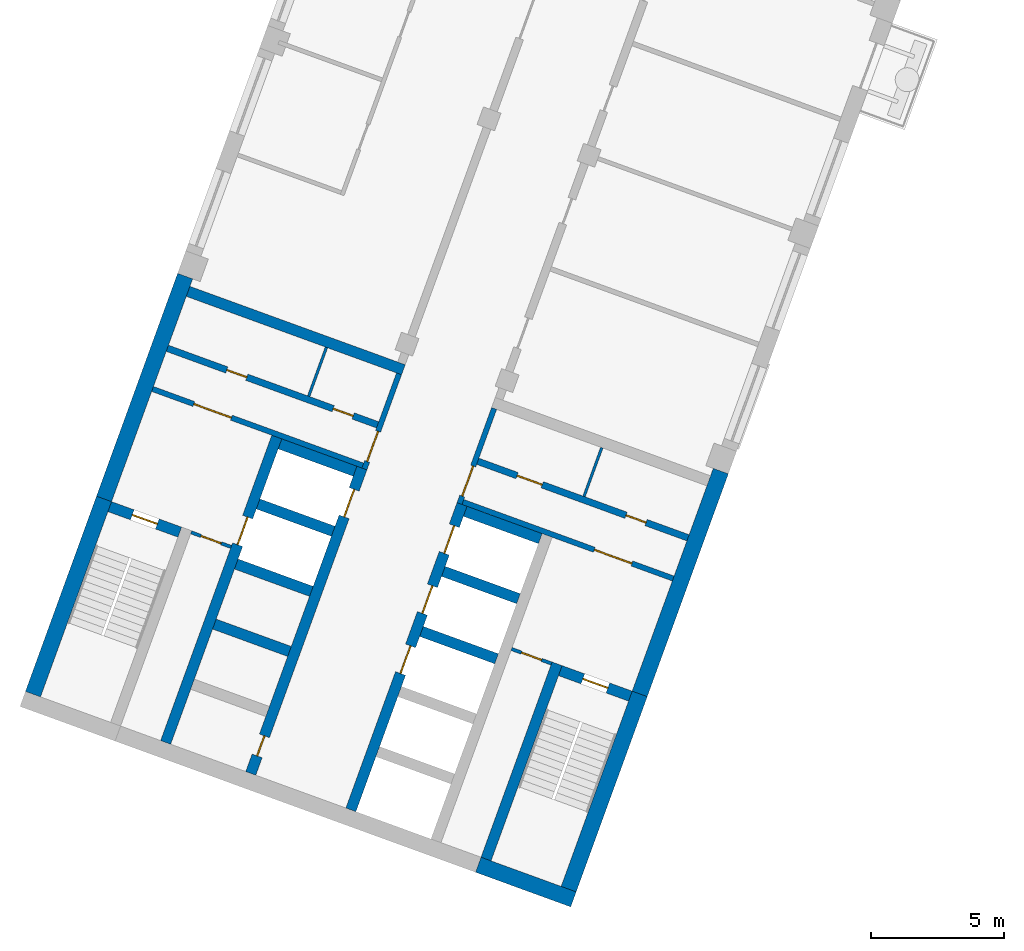
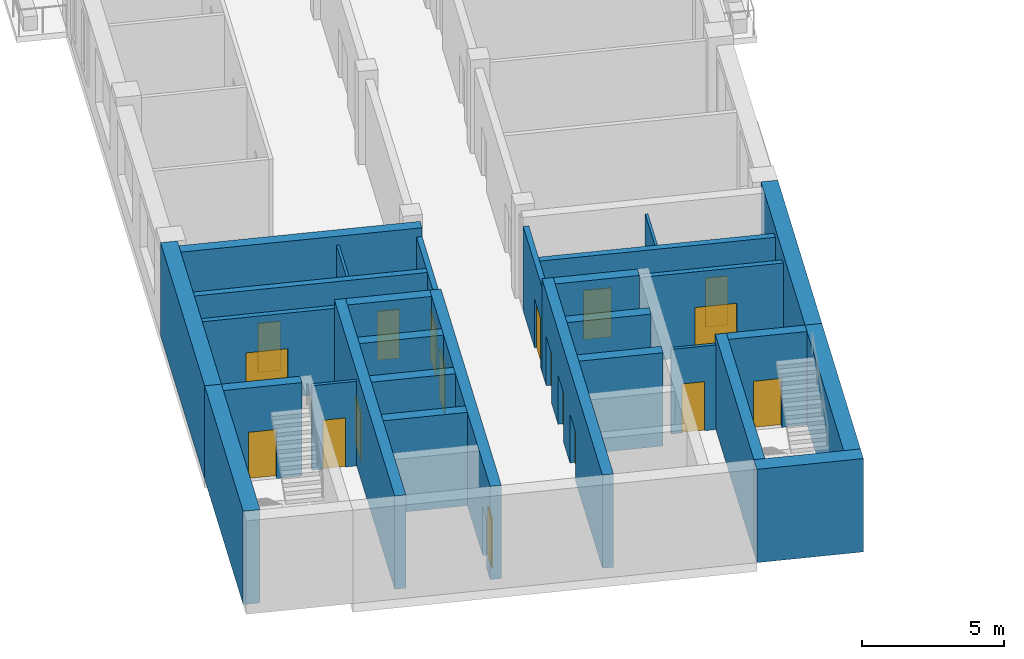
# One storey, part 2 of 16: 29 walls, 18 doors, 18 openings.
"""IFC4 building model written with IfcOpenShell, lengths in metres."""

import ifcopenshell
import ifcopenshell.guid

model = None  # the IFC model being written
_history = None  # IfcOwnerHistory: only IFC2X3 demands one
_inside = {}  # id of a spatial element -> (the spatial element, [elements in it])
_under = {}  # id of a project, library or spatial element -> (it, [spatial elements below it])
_declared = {}  # id of a project -> (the project, [libraries it declares])
_typed = {}  # id of a type object -> (the type object, [elements of that type])
_made_of = {}  # id of a material, layer set ... -> (it, [elements and type objects made of it])


def new_model(schema):
    """Start an empty IFC model of exactly this schema.

    Asked for "IFC4X3", IfcOpenShell would pick the latest addendum, in which some entities
    have other attributes; the version numbers below select the first issue.
    IFC2X3 requires an IfcOwnerHistory on every rooted entity: one is made here for all.
    """
    global model, _history
    if schema == "IFC4X3":
        model = ifcopenshell.file(schema_version=(4, 3, 0, 0))
    else:
        model = ifcopenshell.file(schema=schema)
    _inside.clear()
    _under.clear()
    _declared.clear()
    _typed.clear()
    _made_of.clear()
    _history = None
    if model.schema == "IFC2X3":
        org = make("IfcOrganization", Name="unknown")
        user = make(
            "IfcPersonAndOrganization",
            ThePerson=make("IfcPerson", FamilyName="unknown"),
            TheOrganization=org,
        )
        app = make(
            "IfcApplication",
            ApplicationDeveloper=org,
            Version="unknown",
            ApplicationFullName="unknown",
            ApplicationIdentifier="unknown",
        )
        _history = make(
            "IfcOwnerHistory",
            OwningUser=user,
            OwningApplication=app,
            ChangeAction="ADDED",
            CreationDate=0,
        )
    return model


def make(cls, **values):
    """One entity of the class cls with the attributes given. An attribute that is None is left unset."""
    return model.create_entity(
        cls, **{name: value for name, value in values.items() if value is not None}
    )


def rooted(cls, **values):
    """An entity with a GlobalId (a new one), such as an element, a storey or a relation."""
    return make(cls, GlobalId=ifcopenshell.guid.new(), OwnerHistory=_history, **values)


def si_unit(unit_type, name, prefix=None):
    """IfcSIUnit, for example si_unit("LENGTHUNIT", "METRE", prefix="MILLI")."""
    return make("IfcSIUnit", UnitType=unit_type, Prefix=prefix, Name=name)


def assignment(units):
    """IfcUnitAssignment: the units of a project."""
    return None if units is None else make("IfcUnitAssignment", Units=units)


def point(xyz):
    """IfcCartesianPoint."""
    return None if xyz is None else make("IfcCartesianPoint", Coordinates=xyz)


def direction(xyz):
    """IfcDirection."""
    return None if xyz is None else make("IfcDirection", DirectionRatios=xyz)


def frame(location, z_axis=None, x_axis=None):
    """IfcAxis2Placement3D, a coordinate frame: its origin and axes. An axis left out is left unset."""
    return make(
        "IfcAxis2Placement3D",
        Location=point(location),
        Axis=direction(z_axis),
        RefDirection=direction(x_axis),
    )


def frame_2d(location, x_axis=None):
    """IfcAxis2Placement2D, a coordinate frame in the plane: its origin and x axis."""
    return make(
        "IfcAxis2Placement2D", Location=point(location), RefDirection=direction(x_axis)
    )


def origin():
    """The frame at (0, 0, 0) with its axes left unset."""
    return frame((0.0, 0.0, 0.0))


def place(relative_to, where):
    """IfcLocalPlacement: puts the frame where relative to a parent placement (None: the world)."""
    return make(
        "IfcLocalPlacement", PlacementRelTo=relative_to, RelativePlacement=where
    )


def context(
    kind, dimensions, precision=None, world=None, true_north=None, identifier=None
):
    """IfcGeometricRepresentationContext, for example the 3D "Model" context."""
    return make(
        "IfcGeometricRepresentationContext",
        ContextIdentifier=identifier,
        ContextType=kind,
        CoordinateSpaceDimension=dimensions,
        Precision=precision,
        WorldCoordinateSystem=world,
        TrueNorth=true_north,
    )


def subcontext(parent, identifier, kind, view, scale=None):
    """IfcGeometricRepresentationSubContext, for example "Body" below "Model"."""
    return make(
        "IfcGeometricRepresentationSubContext",
        ContextIdentifier=identifier,
        ContextType=kind,
        ParentContext=parent,
        TargetScale=scale,
        TargetView=view,
    )


def project(units=None, contexts=None):
    """IfcProject with its units and contexts."""
    return rooted(
        "IfcProject",
        Name="project",
        RepresentationContexts=contexts,
        UnitsInContext=assignment(units),
    )


def spatial(cls, under=None, at=None, **own):
    """A site, building, storey or space (cls), placed at a placement, below another one or the project."""
    s = rooted(cls, ObjectPlacement=at, **own)
    if under is not None:
        _under.setdefault(under.id(), (under, []))[1].append(s)
    return s


def profile(cls, at=None, kind="AREA", **sizes):
    """A parametric profile (cls). Its sizes go by their IFC names, for example OverallWidth=200.0."""
    return make(cls, ProfileType=kind, Position=at, **sizes)


def rectangle(**sizes):
    """IfcRectangleProfileDef."""
    return profile("IfcRectangleProfileDef", **sizes)


def extrude(swept, where, along, depth):
    """IfcExtrudedAreaSolid: the profile swept, set in the frame where, extruded along a direction by depth."""
    return make(
        "IfcExtrudedAreaSolid",
        SweptArea=swept,
        Position=where,
        ExtrudedDirection=direction(along),
        Depth=depth,
    )


def shape(context_of_items, identifier, shape_type, items):
    """IfcShapeRepresentation: the items that make up one representation, for example the "Body"."""
    return make(
        "IfcShapeRepresentation",
        ContextOfItems=context_of_items,
        RepresentationIdentifier=identifier,
        RepresentationType=shape_type,
        Items=items,
    )


def material(Name=None, Category=None):
    """IfcMaterial."""
    return make("IfcMaterial", Name=Name, Category=Category)


def layer(
    of_material, thickness, ventilated=None, Name=None, Category=None, Priority=None
):
    """IfcMaterialLayer: one layer of a wall or slab, of a material (None: an air gap)."""
    return make(
        "IfcMaterialLayer",
        Material=of_material,
        LayerThickness=thickness,
        IsVentilated=ventilated,
        Name=Name,
        Category=Category,
        Priority=Priority,
    )


def layer_set(layers, Name=None):
    """IfcMaterialLayerSet."""
    return make("IfcMaterialLayerSet", MaterialLayers=layers, LayerSetName=Name)


def made_of(thing, what):
    """Note that an element or type object is made of a material, layer set ...; save() writes the relation."""
    if what is not None:
        _made_of.setdefault(what.id(), (what, []))[1].append(thing)
    return thing


def type_object(cls, material=None, **own):
    """A type object (cls), such as IfcWallType, which elements share."""
    return made_of(rooted(cls, **own), material)


def element(
    cls,
    number,
    at=None,
    inside=None,
    cuts=None,
    type_object=None,
    material=None,
    context=None,
    identifier="Body",
    shape_type=None,
    held_by="IfcProductDefinitionShape",
    body=None,
    shapes=None,
    **own,
):
    """One element of the class cls, such as IfcWall. Its Tag is "e" and its number.

    at: its placement. inside: the storey or other place that contains it. cuts: it is an
    opening in that element (IfcRelVoidsElement). A single representation is given by context,
    identifier, shape_type and body (its items); several are given by shapes. held_by: the class
    of the entity that holds the representations. save() writes the other relations.
    """
    e = rooted(cls, Tag="e%d" % number, ObjectPlacement=at, **own)
    if body is not None:
        shapes = [shape(context, identifier, shape_type, body)]
    if shapes is not None:
        e.Representation = make(held_by, Representations=shapes)
    if inside is not None:
        _inside.setdefault(inside.id(), (inside, []))[1].append(e)
    if cuts is not None:
        rooted(
            "IfcRelVoidsElement", RelatingBuildingElement=cuts, RelatedOpeningElement=e
        )
    if type_object is not None:
        _typed.setdefault(type_object.id(), (type_object, []))[1].append(e)
    return made_of(e, material)


def fill(opening, filler):
    """IfcRelFillsElement: the door or window that sits in an opening."""
    return rooted(
        "IfcRelFillsElement",
        RelatingOpeningElement=opening,
        RelatedBuildingElement=filler,
    )


def aggregate(whole, parts):
    """IfcRelAggregates: a whole, such as a stair, and the parts it consists of."""
    return rooted("IfcRelAggregates", RelatingObject=whole, RelatedObjects=parts)


def save(model, path):
    """Write the relations noted so far, then the file.

    IfcRelAggregates (storeys below a building ...), IfcRelContainedInSpatialStructure (elements
    in a storey), IfcRelDefinesByType, IfcRelAssociatesMaterial and IfcRelDeclares: one each for
    every whole, place, type object, material and project.
    """
    for whole, parts in _under.values():
        aggregate(whole, parts)
    for where, things in _inside.values():
        rooted(
            "IfcRelContainedInSpatialStructure",
            RelatedElements=things,
            RelatingStructure=where,
        )
    for kind, things in _typed.values():
        rooted("IfcRelDefinesByType", RelatedObjects=things, RelatingType=kind)
    for what, things in _made_of.values():
        rooted("IfcRelAssociatesMaterial", RelatedObjects=things, RelatingMaterial=what)
    for by, libraries in _declared.values():
        rooted("IfcRelDeclares", RelatingContext=by, RelatedDefinitions=libraries)
    model.write(path)


model = new_model("IFC4")

# Units and contexts
model_context = context("Model", 3, precision=1e-05, world=origin(), true_north=direction((0.0, 1.0)))
body_context = subcontext(model_context, "Body", "Model", "MODEL_VIEW")
ifc_project = project(units=[si_unit("LENGTHUNIT", "METRE"), si_unit("AREAUNIT", "SQUARE_METRE"), si_unit("VOLUMEUNIT", "CUBIC_METRE"), si_unit("PLANEANGLEUNIT", "RADIAN"), si_unit("MASSUNIT", "GRAM", prefix="KILO")], contexts=[model_context])

# Site, building, storey
site_placement = place(None, origin())
site = spatial("IfcSite", under=ifc_project, at=site_placement, CompositionType="ELEMENT")
building_placement = place(site_placement, origin())
building = spatial("IfcBuilding", under=site, at=building_placement, Name="Skarvind Civic Tower", CompositionType="ELEMENT")
storey_placement = place(building_placement, frame((0.0, 0.0, 43.5)))
storey = spatial("IfcBuildingStorey", under=building, at=storey_placement, Name="L09", CompositionType="ELEMENT", Elevation=43.5)

# Wall, opening, door
ifc_material_1 = material(Name="Fire-rated masonry partition", Category="masonry")
ifc_layer_1 = layer(ifc_material_1, 0.199951171875)
ifc_layer_set_1 = layer_set([ifc_layer_1], Name="Core enclosure wall 200")
wall_type_1 = type_object("IfcWallType", Name="Core enclosure wall 200", PredefinedType="PARTITIONING", material=ifc_layer_set_1)
wall_1_placement = place(storey_placement, frame((31.491455078125, 93.693359375, 0.0), z_axis=(0.0, 0.0, 1.0), x_axis=(0.341995824804, 0.939701471648, 0.0)))
wall_1 = element("IfcWall", 1, at=wall_1_placement, inside=storey, type_object=wall_type_1, Name="Core wall C2", PredefinedType="PARTITIONING", context=body_context, shape_type="SweptSolid", body=[
    extrude(rectangle(XDim=3.800048828125, YDim=0.199951171875, at=frame_2d((1.89990234375, 0.0))), origin(), (0.0, 0.0, 1.0), 3.625),
])
opening_1_placement = place(wall_1_placement, frame((0.300048828125, 0.0, 0.0)))
opening_1 = element("IfcOpeningElement", 2, at=opening_1_placement, cuts=wall_1, Name="Opening D-L09-C2-06", PredefinedType="OPENING", context=body_context, shape_type="SweptSolid", body=[
    extrude(rectangle(XDim=1.199951171875, YDim=2.10009765625, at=frame_2d((0.60009765625, 1.050048828125))), frame((0.0, 0.10986328125, 0.0), z_axis=(0.0, -1.0, 0.0), x_axis=(1.0, 0.0, 0.0)), (0.0, 0.0, 1.0), 0.219970703125),
])
ifc_material_2 = material(Name="Fire-rated steel door", Category="steel")
door_type_1 = type_object("IfcDoorType", Name="Core lobby door 1200", OperationType="NOTDEFINED", PredefinedType="DOOR", material=ifc_material_2)
door_1_placement = place(opening_1_placement, origin())
door_1 = element("IfcDoor", 3, at=door_1_placement, inside=storey, type_object=door_type_1, Name="Fire door", OperationType="DOUBLE_DOOR_SINGLE_SWING", OverallHeight=2.10009765625, OverallWidth=1.199951171875, PredefinedType="DOOR", context=body_context, shape_type="SweptSolid", body=[
    extrude(rectangle(XDim=1.199951171875, YDim=2.10009765625, at=frame_2d((0.60009765625, 1.050048828125))), frame((0.0, 0.02490234375, 0.0), z_axis=(0.0, -1.0, 0.0), x_axis=(1.0, 0.0, 0.0)), (0.0, 0.0, 1.0), 0.050048828125),
])
fill(opening_1, door_1)

wall_2_placement = place(storey_placement, frame((23.5380859375, 96.6943359375, 0.0), z_axis=(0.0, 0.0, 1.0), x_axis=(0.939691552312, -0.342023078919, 0.0)))
wall_2 = element("IfcWall", 4, at=wall_2_placement, inside=storey, type_object=wall_type_1, Name="Core wall C2", PredefinedType="PARTITIONING", context=body_context, shape_type="SweptSolid", body=[
    extrude(rectangle(XDim=8.400146484375, YDim=0.199951171875, at=frame_2d((4.2001953125, 0.0))), origin(), (0.0, 0.0, 1.0), 3.625),
])
opening_2_placement = place(wall_2_placement, frame((1.64990234375, 0.0, 0.0)))
opening_2 = element("IfcOpeningElement", 5, at=opening_2_placement, cuts=wall_2, Name="Opening D-L09-C2-07", PredefinedType="OPENING", context=body_context, shape_type="SweptSolid", body=[
    extrude(rectangle(XDim=1.5, YDim=2.10009765625, at=frame_2d((0.75, 1.050048828125))), frame((0.0, 0.10986328125, 0.0), z_axis=(0.0, -1.0, 0.0), x_axis=(1.0, 0.0, 0.0)), (0.0, 0.0, 1.0), 0.219970703125),
])
door_type_2 = type_object("IfcDoorType", Name="Fire door 1500", OperationType="NOTDEFINED", PredefinedType="DOOR", material=ifc_material_2)
door_2_placement = place(opening_2_placement, origin())
door_2 = element("IfcDoor", 6, at=door_2_placement, inside=storey, type_object=door_type_2, Name="Fire door", OperationType="DOUBLE_DOOR_SINGLE_SWING", OverallHeight=2.10009765625, OverallWidth=1.5, PredefinedType="DOOR", context=body_context, shape_type="SweptSolid", body=[
    extrude(rectangle(XDim=1.5, YDim=2.10009765625, at=frame_2d((0.75, 1.050048828125))), frame((0.0, 0.02490234375, 0.0), z_axis=(0.0, -1.0, 0.0), x_axis=(1.0, 0.0, 0.0)), (0.0, 0.0, 1.0), 0.050048828125),
])
fill(opening_2, door_2)

wall_3_placement = place(storey_placement, frame((36.36181640625, 95.96435546875, 0.0), z_axis=(0.0, 0.0, 1.0), x_axis=(-0.341995824804, -0.939701471648, 0.0)))
wall_3 = element("IfcWall", 7, at=wall_3_placement, inside=storey, type_object=wall_type_1, Name="Core wall C2", PredefinedType="PARTITIONING", context=body_context, shape_type="SweptSolid", body=[
    extrude(rectangle(XDim=3.800048828125, YDim=0.199951171875, at=frame_2d((1.89990234375, 0.0))), origin(), (0.0, 0.0, 1.0), 3.625),
])
opening_3_placement = place(wall_3_placement, frame((2.300048828125, 0.0, 0.0)))
opening_3 = element("IfcOpeningElement", 8, at=opening_3_placement, cuts=wall_3, Name="Opening D-L09-C2-12", PredefinedType="OPENING", context=body_context, shape_type="SweptSolid", body=[
    extrude(rectangle(XDim=1.199951171875, YDim=2.10009765625, at=frame_2d((0.60009765625, 1.050048828125))), frame((0.0, 0.10986328125, 0.0), z_axis=(0.0, -1.0, 0.0), x_axis=(1.0, 0.0, 0.0)), (0.0, 0.0, 1.0), 0.219970703125),
])
door_3_placement = place(opening_3_placement, origin())
door_3 = element("IfcDoor", 9, at=door_3_placement, inside=storey, type_object=door_type_1, Name="Fire door", OperationType="DOUBLE_DOOR_SINGLE_SWING", OverallHeight=2.10009765625, OverallWidth=1.199951171875, PredefinedType="DOOR", context=body_context, shape_type="SweptSolid", body=[
    extrude(rectangle(XDim=1.199951171875, YDim=2.10009765625, at=frame_2d((0.60009765625, 1.050048828125))), frame((0.0, 0.02490234375, 0.0), z_axis=(0.0, -1.0, 0.0), x_axis=(1.0, 0.0, 0.0)), (0.0, 0.0, 1.0), 0.050048828125),
])
fill(opening_3, door_3)

wall_4_placement = place(storey_placement, frame((35.1904296875, 92.453369140625, 0.0), z_axis=(0.0, 0.0, 1.0), x_axis=(0.939691552312, -0.342023078919, 0.0)))
wall_4 = element("IfcWall", 10, at=wall_4_placement, inside=storey, type_object=wall_type_1, Name="Core wall C2", PredefinedType="PARTITIONING", context=body_context, shape_type="SweptSolid", body=[
    extrude(rectangle(XDim=8.400146484375, YDim=0.199951171875, at=frame_2d((4.2001953125, 0.0))), origin(), (0.0, 0.0, 1.0), 3.625),
])
opening_4_placement = place(wall_4_placement, frame((5.25, 0.0, 0.0)))
opening_4 = element("IfcOpeningElement", 11, at=opening_4_placement, cuts=wall_4, Name="Opening D-L09-C2-13", PredefinedType="OPENING", context=body_context, shape_type="SweptSolid", body=[
    extrude(rectangle(XDim=1.5, YDim=2.10009765625, at=frame_2d((0.75, 1.050048828125))), frame((0.0, 0.10986328125, 0.0), z_axis=(0.0, -1.0, 0.0), x_axis=(1.0, 0.0, 0.0)), (0.0, 0.0, 1.0), 0.219970703125),
])
door_4_placement = place(opening_4_placement, origin())
door_4 = element("IfcDoor", 12, at=door_4_placement, inside=storey, type_object=door_type_2, Name="Fire door", OperationType="DOUBLE_DOOR_SINGLE_SWING", OverallHeight=2.10009765625, OverallWidth=1.5, PredefinedType="DOOR", context=body_context, shape_type="SweptSolid", body=[
    extrude(rectangle(XDim=1.5, YDim=2.10009765625, at=frame_2d((0.75, 1.050048828125))), frame((0.0, 0.02490234375, 0.0), z_axis=(0.0, -1.0, 0.0), x_axis=(1.0, 0.0, 0.0)), (0.0, 0.0, 1.0), 0.050048828125),
])
fill(opening_4, door_4)

# Walls
ifc_material_3 = material(Name="Fire-rated plasterboard partition")
ifc_layer_2 = layer(ifc_material_3, 0.10009765625)
ifc_layer_set_2 = layer_set([ifc_layer_2], Name="Core partition wall 100")
wall_type_2 = type_object("IfcWallType", Name="Core partition wall 100", PredefinedType="PARTITIONING", material=ifc_layer_set_2)
for number, where, z_axis, x_axis, name in (
    (13, (29.399169921875, 96.423583984375, 0.0), (0.0, 0.0, 1.0), (0.341913947243, 0.939731266204, 0.0), "Core wall C2"),
    (14, (40.402587890625, 94.49365234375, 0.0), (0.0, 0.0, 1.0), (-0.342064742067, -0.939676386973, 0.0), "Core wall C2"),
):
    element("IfcWall", number, at=place(storey_placement, frame(where, z_axis=z_axis, x_axis=x_axis)), inside=storey, type_object=wall_type_2, Name=name, PredefinedType="PARTITIONING", context=body_context, shape_type="SweptSolid", body=[
        extrude(rectangle(XDim=1.949951171875, YDim=0.10009765625, at=frame_2d((0.97509765625, 0.0))), origin(), (0.0, 0.0, 1.0), 3.625),
    ])
ifc_material_4 = material(Name="Concrete C80", Category="concrete")
ifc_layer_3 = layer(ifc_material_4, 0.39990234375)
ifc_layer_set_3 = layer_set([ifc_layer_3], Name="Core wall 400 C80")
wall_type_3 = type_object("IfcWallType", Name="Core wall 400 C80", PredefinedType="SHEAR", material=ifc_layer_set_3)
wall_5_placement = place(storey_placement, frame((36.057861328125, 79.04833984375, 0.0), z_axis=(0.0, 0.0, 1.0), x_axis=(0.342016982193, 0.939693771338, 0.0)))
element("IfcWall", 15, at=wall_5_placement, inside=storey, type_object=wall_type_3, Name="Core wall C2 south stair inner L09", PredefinedType="SHEAR", context=body_context, shape_type="SweptSolid", body=[
    extrude(rectangle(XDim=7.800048828125, YDim=0.39990234375, at=frame_2d((3.89990234375, 0.0))), origin(), (0.0, 0.0, 1.0), 4.0),
])

# Wall, opening, door
wall_6_placement = place(storey_placement, frame((41.476318359375, 85.163818359375, 0.0), z_axis=(0.0, 0.0, 1.0), x_axis=(-0.939678810556, 0.342058084236, 0.0)))
wall_6 = element("IfcWall", 16, at=wall_6_placement, inside=storey, type_object=wall_type_3, Name="Core wall C2 south stair end L09", PredefinedType="SHEAR", context=body_context, shape_type="SweptSolid", body=[
    extrude(rectangle(XDim=2.800048828125, YDim=0.39990234375, at=frame_2d((1.39990234375, 0.0))), origin(), (0.0, 0.0, 1.0), 4.0),
])
opening_5_placement = place(wall_6_placement, frame((0.89990234375, 0.0, 0.0)))
opening_5 = element("IfcOpeningElement", 17, at=opening_5_placement, cuts=wall_6, Name="Opening D-L09-C2-14", PredefinedType="OPENING", context=body_context, shape_type="SweptSolid", body=[
    extrude(rectangle(XDim=1.0, YDim=2.10009765625, at=frame_2d((0.5, 1.050048828125))), frame((0.0, 0.2099609375, 0.0), z_axis=(0.0, -1.0, 0.0), x_axis=(1.0, 0.0, 0.0)), (0.0, 0.0, 1.0), 0.419921875),
])
door_type_3 = type_object("IfcDoorType", Name="Fire door 1000", OperationType="NOTDEFINED", PredefinedType="DOOR", material=ifc_material_2)
door_5_placement = place(opening_5_placement, origin())
door_5 = element("IfcDoor", 18, at=door_5_placement, inside=storey, type_object=door_type_3, Name="Fire door", OperationType="SINGLE_SWING_RIGHT", OverallHeight=2.10009765625, OverallWidth=1.0, PredefinedType="DOOR", context=body_context, shape_type="SweptSolid", body=[
    extrude(rectangle(XDim=1.0, YDim=2.10009765625, at=frame_2d((0.5, 1.050048828125))), frame((0.0, 0.02490234375, 0.0), z_axis=(0.0, -1.0, 0.0), x_axis=(1.0, 0.0, 0.0)), (0.0, 0.0, 1.0), 0.050048828125),
])
fill(opening_5, door_5)

wall_7_placement = place(storey_placement, frame((24.56201171875, 91.3203125, 0.0), z_axis=(0.0, 0.0, 1.0), x_axis=(-0.939717030584, 0.341953070509, 0.0)))
wall_7 = element("IfcWall", 19, at=wall_7_placement, inside=storey, type_object=wall_type_3, Name="Core wall C2 north stair end L09", PredefinedType="SHEAR", context=body_context, shape_type="SweptSolid", body=[
    extrude(rectangle(XDim=2.800048828125, YDim=0.39990234375, at=frame_2d((1.39990234375, 0.0))), origin(), (0.0, 0.0, 1.0), 4.0),
])
opening_6_placement = place(wall_7_placement, frame((0.89990234375, 0.0, 0.0)))
opening_6 = element("IfcOpeningElement", 20, at=opening_6_placement, cuts=wall_7, Name="Opening D-L09-C2-08", PredefinedType="OPENING", context=body_context, shape_type="SweptSolid", body=[
    extrude(rectangle(XDim=1.0, YDim=2.10009765625, at=frame_2d((0.5, 1.050048828125))), frame((0.0, 0.2099609375, 0.0), z_axis=(0.0, -1.0, 0.0), x_axis=(1.0, 0.0, 0.0)), (0.0, 0.0, 1.0), 0.419921875),
])
door_6_placement = place(opening_6_placement, origin())
door_6 = element("IfcDoor", 21, at=door_6_placement, inside=storey, type_object=door_type_3, Name="Fire door", OperationType="SINGLE_SWING_LEFT", OverallHeight=2.10009765625, OverallWidth=1.0, PredefinedType="DOOR", context=body_context, shape_type="SweptSolid", body=[
    extrude(rectangle(XDim=1.0, YDim=2.10009765625, at=frame_2d((0.5, 1.050048828125))), frame((0.0, 0.02490234375, 0.0), z_axis=(0.0, -1.0, 0.0), x_axis=(1.0, 0.0, 0.0)), (0.0, 0.0, 1.0), 0.050048828125),
])
fill(opening_6, door_6)

# Wall, openings, doors
wall_8_placement = place(storey_placement, frame((30.983642578125, 80.895263671875, 0.0), z_axis=(0.0, 0.0, 1.0), x_axis=(0.342021021735, 0.939692301071, 0.0)))
wall_8 = element("IfcWall", 22, at=wall_8_placement, inside=storey, type_object=wall_type_3, Name="Core wall C2 south lift row front L09", PredefinedType="SHEAR", context=body_context, shape_type="SweptSolid", body=[
    extrude(rectangle(XDim=12.199951171875, YDim=0.39990234375, at=frame_2d((6.10009765625, 0.0))), origin(), (0.0, 0.0, 1.0), 4.0),
])
opening_7_placement = place(wall_8_placement, frame((5.449951171875, 0.0, 0.0)))
opening_7 = element("IfcOpeningElement", 23, at=opening_7_placement, cuts=wall_8, Name="Opening LD11208", PredefinedType="OPENING", context=body_context, shape_type="SweptSolid", body=[
    extrude(rectangle(XDim=1.10009765625, YDim=2.10009765625, at=frame_2d((0.550048828125, 1.050048828125))), frame((0.0, 0.2099609375, 0.0), z_axis=(0.0, -1.0, 0.0), x_axis=(1.0, 0.0, 0.0)), (0.0, 0.0, 1.0), 0.419921875),
])
opening_8_placement = place(wall_8_placement, frame((7.85009765625, 0.0, 0.0)))
opening_8 = element("IfcOpeningElement", 24, at=opening_8_placement, cuts=wall_8, Name="Opening LD11209", PredefinedType="OPENING", context=body_context, shape_type="SweptSolid", body=[
    extrude(rectangle(XDim=1.10009765625, YDim=2.10009765625, at=frame_2d((0.550048828125, 1.050048828125))), frame((0.0, 0.2099609375, 0.0), z_axis=(0.0, -1.0, 0.0), x_axis=(1.0, 0.0, 0.0)), (0.0, 0.0, 1.0), 0.419921875),
])
opening_9_placement = place(wall_8_placement, frame((10.25, 0.0, 0.0)))
opening_9 = element("IfcOpeningElement", 25, at=opening_9_placement, cuts=wall_8, Name="Opening LD11210", PredefinedType="OPENING", context=body_context, shape_type="SweptSolid", body=[
    extrude(rectangle(XDim=1.10009765625, YDim=2.10009765625, at=frame_2d((0.550048828125, 1.050048828125))), frame((0.0, 0.2099609375, 0.0), z_axis=(0.0, -1.0, 0.0), x_axis=(1.0, 0.0, 0.0)), (0.0, 0.0, 1.0), 0.419921875),
])
ifc_material_5 = material(Name="Stainless steel landing door", Category="steel")
door_type_4 = type_object("IfcDoorType", Name="Lift landing door 1100", OperationType="DOUBLE_DOOR_SLIDING", PredefinedType="DOOR", material=ifc_material_5)
door_7_placement = place(opening_7_placement, origin())
door_7 = element("IfcDoor", 26, at=door_7_placement, inside=storey, type_object=door_type_4, Name="Lift landing door", OperationType="DOUBLE_DOOR_SLIDING", OverallHeight=2.10009765625, OverallWidth=1.10009765625, PredefinedType="DOOR", context=body_context, shape_type="SweptSolid", body=[
    extrude(rectangle(XDim=1.10009765625, YDim=2.10009765625, at=frame_2d((0.550048828125, 1.050048828125))), frame((0.0, 0.02490234375, 0.0), z_axis=(0.0, -1.0, 0.0), x_axis=(1.0, 0.0, 0.0)), (0.0, 0.0, 1.0), 0.050048828125),
])
fill(opening_7, door_7)
door_8_placement = place(opening_8_placement, origin())
door_8 = element("IfcDoor", 27, at=door_8_placement, inside=storey, type_object=door_type_4, Name="Lift landing door", OperationType="DOUBLE_DOOR_SLIDING", OverallHeight=2.10009765625, OverallWidth=1.10009765625, PredefinedType="DOOR", context=body_context, shape_type="SweptSolid", body=[
    extrude(rectangle(XDim=1.10009765625, YDim=2.10009765625, at=frame_2d((0.550048828125, 1.050048828125))), frame((0.0, 0.02490234375, 0.0), z_axis=(0.0, -1.0, 0.0), x_axis=(1.0, 0.0, 0.0)), (0.0, 0.0, 1.0), 0.050048828125),
])
fill(opening_8, door_8)
door_9_placement = place(opening_9_placement, origin())
door_9 = element("IfcDoor", 28, at=door_9_placement, inside=storey, type_object=door_type_4, Name="Lift landing door", OperationType="DOUBLE_DOOR_SLIDING", OverallHeight=2.10009765625, OverallWidth=1.10009765625, PredefinedType="DOOR", context=body_context, shape_type="SweptSolid", body=[
    extrude(rectangle(XDim=1.10009765625, YDim=2.10009765625, at=frame_2d((0.550048828125, 1.050048828125))), frame((0.0, 0.02490234375, 0.0), z_axis=(0.0, -1.0, 0.0), x_axis=(1.0, 0.0, 0.0)), (0.0, 0.0, 1.0), 0.050048828125),
])
fill(opening_9, door_9)

# Walls
for number, where, z_axis, x_axis, name in (
    (29, (36.453125, 86.56640625, 0.0), (0.0, 0.0, 1.0), (-0.939686455819, 0.342037080957, 0.0), "Core wall C2 south lift row division 3 L09"),
    (30, (37.27392578125, 88.82177734375, 0.0), (0.0, 0.0, 1.0), (-0.939686455819, 0.342037080957, 0.0), "Core wall C2 south lift row division 4 L09"),
):
    element("IfcWall", number, at=place(storey_placement, frame(where, z_axis=z_axis, x_axis=x_axis)), inside=storey, type_object=wall_type_3, Name=name, PredefinedType="SHEAR", context=body_context, shape_type="SweptSolid", body=[
        extrude(rectangle(XDim=3.0, YDim=0.39990234375, at=frame_2d((1.5, 0.0))), origin(), (0.0, 0.0, 1.0), 4.0),
    ])
wall_9_placement = place(storey_placement, frame((38.0947265625, 91.076904296875, 0.0), z_axis=(0.0, 0.0, 1.0), x_axis=(-0.939676934218, 0.342063238742, 0.0)))
element("IfcWall", 31, at=wall_9_placement, inside=storey, type_object=wall_type_3, Name="Core wall C2 south lift row division 5 L09", PredefinedType="SHEAR", context=body_context, shape_type="SweptSolid", body=[
    extrude(rectangle(XDim=2.999755859375, YDim=0.39990234375, at=frame_2d((1.5, 0.0))), origin(), (0.0, 0.0, 1.0), 4.0),
])

# Wall, openings, doors
wall_10_placement = place(storey_placement, frame((27.224853515625, 82.26318359375, 0.0), z_axis=(0.0, 0.0, 1.0), x_axis=(0.342014590177, 0.939694641948, 0.0)))
wall_10 = element("IfcWall", 32, at=wall_10_placement, inside=storey, type_object=wall_type_3, Name="Core wall C2 north lift row front L09", PredefinedType="SHEAR", context=body_context, shape_type="SweptSolid", body=[
    extrude(rectangle(XDim=12.2001953125, YDim=0.39990234375, at=frame_2d((6.10009765625, 0.0))), origin(), (0.0, 0.0, 1.0), 4.0),
])
opening_10_placement = place(wall_10_placement, frame((10.25, 0.0, 0.0)))
opening_10 = element("IfcOpeningElement", 33, at=opening_10_placement, cuts=wall_10, Name="Opening LD11205", PredefinedType="OPENING", context=body_context, shape_type="SweptSolid", body=[
    extrude(rectangle(XDim=1.10009765625, YDim=2.10009765625, at=frame_2d((0.550048828125, 1.050048828125))), frame((0.0, 0.2099609375, 0.0), z_axis=(0.0, -1.0, 0.0), x_axis=(1.0, 0.0, 0.0)), (0.0, 0.0, 1.0), 0.419921875),
])
opening_11_placement = place(wall_10_placement, frame((0.699951171875, 0.0, 0.0)))
opening_11 = element("IfcOpeningElement", 34, at=opening_11_placement, cuts=wall_10, Name="Opening D-L09-C2-05", PredefinedType="OPENING", context=body_context, shape_type="SweptSolid", body=[
    extrude(rectangle(XDim=0.800048828125, YDim=2.10009765625, at=frame_2d((0.39990234375, 1.050048828125))), frame((0.0, 0.2099609375, 0.0), z_axis=(0.0, -1.0, 0.0), x_axis=(1.0, 0.0, 0.0)), (0.0, 0.0, 1.0), 0.419921875),
])
door_type_5 = type_object("IfcDoorType", Name="Core riser door 800", OperationType="NOTDEFINED", PredefinedType="DOOR", material=ifc_material_2)
door_10_placement = place(opening_11_placement, origin())
door_10 = element("IfcDoor", 35, at=door_10_placement, inside=storey, type_object=door_type_5, Name="Riser door", OperationType="SINGLE_SWING_LEFT", OverallHeight=2.10009765625, OverallWidth=0.800048828125, PredefinedType="DOOR", context=body_context, shape_type="SweptSolid", body=[
    extrude(rectangle(XDim=0.800048828125, YDim=2.10009765625, at=frame_2d((0.39990234375, 1.050048828125))), frame((0.0, 0.02490234375, 0.0), z_axis=(0.0, -1.0, 0.0), x_axis=(1.0, 0.0, 0.0)), (0.0, 0.0, 1.0), 0.050048828125),
])
fill(opening_11, door_10)
door_11_placement = place(opening_10_placement, origin())
door_11 = element("IfcDoor", 36, at=door_11_placement, inside=storey, type_object=door_type_4, Name="Lift landing door", OperationType="DOUBLE_DOOR_SLIDING", OverallHeight=2.10009765625, OverallWidth=1.10009765625, PredefinedType="DOOR", context=body_context, shape_type="SweptSolid", body=[
    extrude(rectangle(XDim=1.10009765625, YDim=2.10009765625, at=frame_2d((0.550048828125, 1.050048828125))), frame((0.0, 0.02490234375, 0.0), z_axis=(0.0, -1.0, 0.0), x_axis=(1.0, 0.0, 0.0)), (0.0, 0.0, 1.0), 0.050048828125),
])
fill(opening_10, door_11)

# Wall, opening, door
wall_11_placement = place(storey_placement, frame((24.02978515625, 83.426025390625, 0.0), z_axis=(0.0, 0.0, 1.0), x_axis=(0.342014590177, 0.939694641948, 0.0)))
wall_11 = element("IfcWall", 37, at=wall_11_placement, inside=storey, type_object=wall_type_3, Name="Core wall C2 north lift row back L09", PredefinedType="SHEAR", context=body_context, shape_type="SweptSolid", body=[
    extrude(rectangle(XDim=12.2001953125, YDim=0.39990234375, at=frame_2d((6.10009765625, 0.0))), origin(), (0.0, 0.0, 1.0), 4.0),
])
opening_12_placement = place(wall_11_placement, frame((7.89990234375, 0.0, 0.0)))
opening_12 = element("IfcOpeningElement", 38, at=opening_12_placement, cuts=wall_11, Name="Opening LD11204", PredefinedType="OPENING", context=body_context, shape_type="SweptSolid", body=[
    extrude(rectangle(XDim=1.10009765625, YDim=2.10009765625, at=frame_2d((0.550048828125, 1.050048828125))), frame((0.0, 0.2099609375, 0.0), z_axis=(0.0, -1.0, 0.0), x_axis=(1.0, 0.0, 0.0)), (0.0, 0.0, 1.0), 0.419921875),
])
door_12_placement = place(opening_12_placement, origin())
door_12 = element("IfcDoor", 39, at=door_12_placement, inside=storey, type_object=door_type_4, Name="Lift landing door", OperationType="DOUBLE_DOOR_SLIDING", OverallHeight=2.10009765625, OverallWidth=1.10009765625, PredefinedType="DOOR", context=body_context, shape_type="SweptSolid", body=[
    extrude(rectangle(XDim=1.10009765625, YDim=2.10009765625, at=frame_2d((0.550048828125, 1.050048828125))), frame((0.0, 0.02490234375, 0.0), z_axis=(0.0, -1.0, 0.0), x_axis=(1.0, 0.0, 0.0)), (0.0, 0.0, 1.0), 0.050048828125),
])
fill(opening_12, door_12)

# Walls
wall_12_placement = place(storey_placement, frame((28.678466796875, 86.842041015625, 0.0), z_axis=(0.0, 0.0, 1.0), x_axis=(-0.939676934218, 0.342063238742, 0.0)))
element("IfcWall", 40, at=wall_12_placement, inside=storey, type_object=wall_type_3, Name="Core wall C2 north lift row division 2 L09", PredefinedType="SHEAR", context=body_context, shape_type="SweptSolid", body=[
    extrude(rectangle(XDim=2.999755859375, YDim=0.39990234375, at=frame_2d((1.5, 0.0))), origin(), (0.0, 0.0, 1.0), 4.0),
])
for number, where, z_axis, x_axis, name in (
    (41, (29.49951171875, 89.097412109375, 0.0), (0.0, 0.0, 1.0), (-0.939686455819, 0.342037080957, 0.0), "Core wall C2 north lift row division 3 L09"),
    (42, (30.3203125, 91.352783203125, 0.0), (0.0, 0.0, 1.0), (-0.939712609717, 0.341965219194, 0.0), "Core wall C2 north lift row division 4 L09"),
    (43, (31.14111328125, 93.60791015625, 0.0), (0.0, 0.0, 1.0), (-0.939686455819, 0.342037080957, 0.0), "Core wall C2 north lift row division 5 L09"),
):
    element("IfcWall", number, at=place(storey_placement, frame(where, z_axis=z_axis, x_axis=x_axis)), inside=storey, type_object=wall_type_3, Name=name, PredefinedType="SHEAR", context=body_context, shape_type="SweptSolid", body=[
        extrude(rectangle(XDim=3.0, YDim=0.39990234375, at=frame_2d((1.5, 0.0))), origin(), (0.0, 0.0, 1.0), 4.0),
    ])
wall_13_placement = place(storey_placement, frame((32.953369140625, 97.417724609375, 0.0), z_axis=(0.0, 0.0, 1.0), x_axis=(-0.93969060187, 0.342025690201, 0.0)))
element("IfcWall", 44, at=wall_13_placement, inside=storey, type_object=wall_type_3, Name="Core wall C2 north inner face L09", PredefinedType="SHEAR", context=body_context, shape_type="SweptSolid", body=[
    extrude(rectangle(XDim=8.599853515625, YDim=0.39990234375, at=frame_2d((4.2998046875, 0.0))), origin(), (0.0, 0.0, 1.0), 4.0),
])
ifc_layer_4 = layer(ifc_material_4, 0.60009765625)
ifc_layer_set_4 = layer_set([ifc_layer_4], Name="Core wall 600 C80")
wall_type_4 = type_object("IfcWallType", Name="Core wall 600 C80", PredefinedType="SHEAR", material=ifc_layer_set_4)
wall_14_placement = place(storey_placement, frame((39.338134765625, 77.53515625, 0.0), z_axis=(0.0, 0.0, 1.0), x_axis=(-0.939701471648, 0.341995824804, 0.0)))
element("IfcWall", 45, at=wall_14_placement, inside=storey, type_object=wall_type_4, Name="Core wall C2 tip at the south stair L09", PredefinedType="SHEAR", context=body_context, shape_type="SweptSolid", body=[
    extrude(rectangle(XDim=3.800048828125, YDim=0.60009765625, at=frame_2d((1.89990234375, 0.0))), origin(), (0.0, 0.0, 1.0), 4.0),
])
for number, where, z_axis, x_axis, name in (
    (46, (39.158935546875, 77.919677734375, 0.0), (0.0, 0.0, 1.0), (0.342016982193, 0.939693771338, 0.0), "Core wall C2 south side at the stair L09"),
    (47, (19.049560546875, 85.23876953125, 0.0), (0.0, 0.0, 1.0), (0.342016982193, 0.939693771338, 0.0), "Core wall C2 north side at the stair L09"),
):
    element("IfcWall", number, at=place(storey_placement, frame(where, z_axis=z_axis, x_axis=x_axis)), inside=storey, type_object=wall_type_4, Name=name, PredefinedType="SHEAR", context=body_context, shape_type="SweptSolid", body=[
        extrude(rectangle(XDim=7.800048828125, YDim=0.60009765625, at=frame_2d((3.89990234375, 0.0))), origin(), (0.0, 0.0, 1.0), 4.0),
    ])
for number, where, z_axis, x_axis, name in (
    (48, (41.82666015625, 85.249267578125, 0.0), (0.0, 0.0, 1.0), (0.342016162452, 0.939694069696, 0.0), "Core wall C2 south side L09"),
    (49, (21.71728515625, 92.568359375, 0.0), (0.0, 0.0, 1.0), (0.342016162452, 0.939694069696, 0.0), "Core wall C2 north side L09"),
):
    element("IfcWall", number, at=place(storey_placement, frame(where, z_axis=z_axis, x_axis=x_axis)), inside=storey, type_object=wall_type_4, Name=name, PredefinedType="SHEAR", context=body_context, shape_type="SweptSolid", body=[
        extrude(rectangle(XDim=8.89990234375, YDim=0.60009765625, at=frame_2d((4.449951171875, 0.0))), origin(), (0.0, 0.0, 1.0), 4.0),
    ])

# Wall, opening, door
ifc_layer_5 = layer(ifc_material_1, 0.125)
ifc_layer_set_5 = layer_set([ifc_layer_5], Name="Riser wall 125")
wall_type_5 = type_object("IfcWallType", Name="Riser wall 125", PredefinedType="PARTITIONING", material=ifc_layer_set_5)
wall_15_placement = place(storey_placement, frame((24.98486328125, 91.3125, 0.0), z_axis=(0.0, 0.0, 1.0), x_axis=(0.939708740826, -0.341975850632, 0.0)))
wall_15 = element("IfcWall", 50, at=wall_15_placement, inside=storey, type_object=wall_type_5, Name="Core wall C2", PredefinedType="PARTITIONING", context=body_context, shape_type="SweptSolid", body=[
    extrude(rectangle(XDim=1.599853515625, YDim=0.125, at=frame_2d((0.7998046875, 0.0))), origin(), (0.0, 0.0, 1.0), 3.625),
])
opening_13_placement = place(wall_15_placement, frame((0.39990234375, 0.0, 0.0)))
opening_13 = element("IfcOpeningElement", 51, at=opening_13_placement, cuts=wall_15, Name="Opening D-L09-C2-09", PredefinedType="OPENING", context=body_context, shape_type="SweptSolid", body=[
    extrude(rectangle(XDim=0.800048828125, YDim=2.10009765625, at=frame_2d((0.39990234375, 1.050048828125))), frame((0.0, 0.072509765625, 0.0), z_axis=(0.0, -1.0, 0.0), x_axis=(1.0, 0.0, 0.0)), (0.0, 0.0, 1.0), 0.14501953125),
])
door_13_placement = place(opening_13_placement, origin())
door_13 = element("IfcDoor", 52, at=door_13_placement, inside=storey, type_object=door_type_5, Name="Riser door", OperationType="SINGLE_SWING_RIGHT", OverallHeight=2.10009765625, OverallWidth=0.800048828125, PredefinedType="DOOR", context=body_context, shape_type="SweptSolid", body=[
    extrude(rectangle(XDim=0.800048828125, YDim=2.10009765625, at=frame_2d((0.39990234375, 1.050048828125))), frame((0.0, 0.02490234375, 0.0), z_axis=(0.0, -1.0, 0.0), x_axis=(1.0, 0.0, 0.0)), (0.0, 0.0, 1.0), 0.050048828125),
])
fill(opening_13, door_13)

wall_16_placement = place(storey_placement, frame((37.012939453125, 86.934814453125, 0.0), z_axis=(0.0, 0.0, 1.0), x_axis=(0.939659694648, -0.342110593602, 0.0)))
wall_16 = element("IfcWall", 53, at=wall_16_placement, inside=storey, type_object=wall_type_5, Name="Core wall C2", PredefinedType="PARTITIONING", context=body_context, shape_type="SweptSolid", body=[
    extrude(rectangle(XDim=1.599853515625, YDim=0.125, at=frame_2d((0.7998046875, 0.0))), origin(), (0.0, 0.0, 1.0), 3.625),
])
opening_14_placement = place(wall_16_placement, frame((0.39990234375, 0.0, 0.0)))
opening_14 = element("IfcOpeningElement", 54, at=opening_14_placement, cuts=wall_16, Name="Opening D-L09-C2-15", PredefinedType="OPENING", context=body_context, shape_type="SweptSolid", body=[
    extrude(rectangle(XDim=0.800048828125, YDim=2.10009765625, at=frame_2d((0.39990234375, 1.050048828125))), frame((0.0, 0.072509765625, 0.0), z_axis=(0.0, -1.0, 0.0), x_axis=(1.0, 0.0, 0.0)), (0.0, 0.0, 1.0), 0.14501953125),
])
door_14_placement = place(opening_14_placement, origin())
door_14 = element("IfcDoor", 55, at=door_14_placement, inside=storey, type_object=door_type_5, Name="Riser door", OperationType="SINGLE_SWING_LEFT", OverallHeight=2.10009765625, OverallWidth=0.800048828125, PredefinedType="DOOR", context=body_context, shape_type="SweptSolid", body=[
    extrude(rectangle(XDim=0.800048828125, YDim=2.10009765625, at=frame_2d((0.39990234375, 1.050048828125))), frame((0.0, 0.02490234375, 0.0), z_axis=(0.0, -1.0, 0.0), x_axis=(1.0, 0.0, 0.0)), (0.0, 0.0, 1.0), 0.050048828125),
])
fill(opening_14, door_14)

# Wall, openings, doors
ifc_layer_6 = layer(ifc_material_1, 0.25)
ifc_layer_set_6 = layer_set([ifc_layer_6], Name="Service block wall 250")
wall_type_6 = type_object("IfcWallType", Name="Service block wall 250", PredefinedType="PARTITIONING", material=ifc_layer_set_6)
wall_17_placement = place(storey_placement, frame((24.093994140625, 98.221435546875, 0.0), z_axis=(0.0, 0.0, 1.0), x_axis=(0.939691552312, -0.342023078919, 0.0)))
wall_17 = element("IfcWall", 56, at=wall_17_placement, inside=storey, type_object=wall_type_6, Name="Core wall C2", PredefinedType="PARTITIONING", context=body_context, shape_type="SweptSolid", body=[
    extrude(rectangle(XDim=8.400146484375, YDim=0.25, at=frame_2d((4.2001953125, 0.0))), origin(), (0.0, 0.0, 1.0), 3.625),
])
opening_15_placement = place(wall_17_placement, frame((6.625, 0.0, 0.0)))
opening_15 = element("IfcOpeningElement", 57, at=opening_15_placement, cuts=wall_17, Name="Opening D-L09-C2-10", PredefinedType="OPENING", context=body_context, shape_type="SweptSolid", body=[
    extrude(rectangle(XDim=0.800048828125, YDim=2.10009765625, at=frame_2d((0.39990234375, 1.050048828125))), frame((0.0, 0.135009765625, 0.0), z_axis=(0.0, -1.0, 0.0), x_axis=(1.0, 0.0, 0.0)), (0.0, 0.0, 1.0), 0.27001953125),
])
opening_16_placement = place(wall_17_placement, frame((2.375, 0.0, 0.0)))
opening_16 = element("IfcOpeningElement", 58, at=opening_16_placement, cuts=wall_17, Name="Opening D-L09-C2-11", PredefinedType="OPENING", context=body_context, shape_type="SweptSolid", body=[
    extrude(rectangle(XDim=0.800048828125, YDim=2.10009765625, at=frame_2d((0.39990234375, 1.050048828125))), frame((0.0, 0.135009765625, 0.0), z_axis=(0.0, -1.0, 0.0), x_axis=(1.0, 0.0, 0.0)), (0.0, 0.0, 1.0), 0.27001953125),
])
door_15_placement = place(opening_15_placement, origin())
door_15 = element("IfcDoor", 59, at=door_15_placement, inside=storey, type_object=door_type_5, Name="Riser door", OperationType="SINGLE_SWING_LEFT", OverallHeight=2.10009765625, OverallWidth=0.800048828125, PredefinedType="DOOR", context=body_context, shape_type="SweptSolid", body=[
    extrude(rectangle(XDim=0.800048828125, YDim=2.10009765625, at=frame_2d((0.39990234375, 1.050048828125))), frame((0.0, 0.02490234375, 0.0), z_axis=(0.0, -1.0, 0.0), x_axis=(1.0, 0.0, 0.0)), (0.0, 0.0, 1.0), 0.050048828125),
])
fill(opening_15, door_15)
door_16_placement = place(opening_16_placement, origin())
door_16 = element("IfcDoor", 60, at=door_16_placement, inside=storey, type_object=door_type_5, Name="Riser door", OperationType="SINGLE_SWING_RIGHT", OverallHeight=2.10009765625, OverallWidth=0.800048828125, PredefinedType="DOOR", context=body_context, shape_type="SweptSolid", body=[
    extrude(rectangle(XDim=0.800048828125, YDim=2.10009765625, at=frame_2d((0.39990234375, 1.050048828125))), frame((0.0, 0.02490234375, 0.0), z_axis=(0.0, -1.0, 0.0), x_axis=(1.0, 0.0, 0.0)), (0.0, 0.0, 1.0), 0.050048828125),
])
fill(opening_16, door_16)

wall_18_placement = place(storey_placement, frame((35.74609375, 93.98046875, 0.0), z_axis=(0.0, 0.0, 1.0), x_axis=(0.939691552312, -0.342023078919, 0.0)))
wall_18 = element("IfcWall", 61, at=wall_18_placement, inside=storey, type_object=wall_type_6, Name="Core wall C2", PredefinedType="PARTITIONING", context=body_context, shape_type="SweptSolid", body=[
    extrude(rectangle(XDim=8.400146484375, YDim=0.25, at=frame_2d((4.2001953125, 0.0))), origin(), (0.0, 0.0, 1.0), 3.625),
])
opening_17_placement = place(wall_18_placement, frame((1.574951171875, 0.0, 0.0)))
opening_17 = element("IfcOpeningElement", 62, at=opening_17_placement, cuts=wall_18, Name="Opening D-L09-C2-16", PredefinedType="OPENING", context=body_context, shape_type="SweptSolid", body=[
    extrude(rectangle(XDim=1.0, YDim=2.10009765625, at=frame_2d((0.5, 1.050048828125))), frame((0.0, 0.135009765625, 0.0), z_axis=(0.0, -1.0, 0.0), x_axis=(1.0, 0.0, 0.0)), (0.0, 0.0, 1.0), 0.27001953125),
])
opening_18_placement = place(wall_18_placement, frame((5.925048828125, 0.0, 0.0)))
opening_18 = element("IfcOpeningElement", 63, at=opening_18_placement, cuts=wall_18, Name="Opening D-L09-C2-17", PredefinedType="OPENING", context=body_context, shape_type="SweptSolid", body=[
    extrude(rectangle(XDim=0.800048828125, YDim=2.10009765625, at=frame_2d((0.39990234375, 1.050048828125))), frame((0.0, 0.135009765625, 0.0), z_axis=(0.0, -1.0, 0.0), x_axis=(1.0, 0.0, 0.0)), (0.0, 0.0, 1.0), 0.27001953125),
])
door_17_placement = place(opening_18_placement, origin())
door_17 = element("IfcDoor", 64, at=door_17_placement, inside=storey, type_object=door_type_5, Name="Riser door", OperationType="SINGLE_SWING_LEFT", OverallHeight=2.10009765625, OverallWidth=0.800048828125, PredefinedType="DOOR", context=body_context, shape_type="SweptSolid", body=[
    extrude(rectangle(XDim=0.800048828125, YDim=2.10009765625, at=frame_2d((0.39990234375, 1.050048828125))), frame((0.0, 0.02490234375, 0.0), z_axis=(0.0, -1.0, 0.0), x_axis=(1.0, 0.0, 0.0)), (0.0, 0.0, 1.0), 0.050048828125),
])
fill(opening_18, door_17)
door_18_placement = place(opening_17_placement, origin())
door_18 = element("IfcDoor", 65, at=door_18_placement, inside=storey, type_object=door_type_3, Name="Fire door", OperationType="SINGLE_SWING_RIGHT", OverallHeight=2.10009765625, OverallWidth=1.0, PredefinedType="DOOR", context=body_context, shape_type="SweptSolid", body=[
    extrude(rectangle(XDim=1.0, YDim=2.10009765625, at=frame_2d((0.5, 1.050048828125))), frame((0.0, 0.02490234375, 0.0), z_axis=(0.0, -1.0, 0.0), x_axis=(1.0, 0.0, 0.0)), (0.0, 0.0, 1.0), 0.050048828125),
])
fill(opening_17, door_18)

save(model, "model.ifc")
